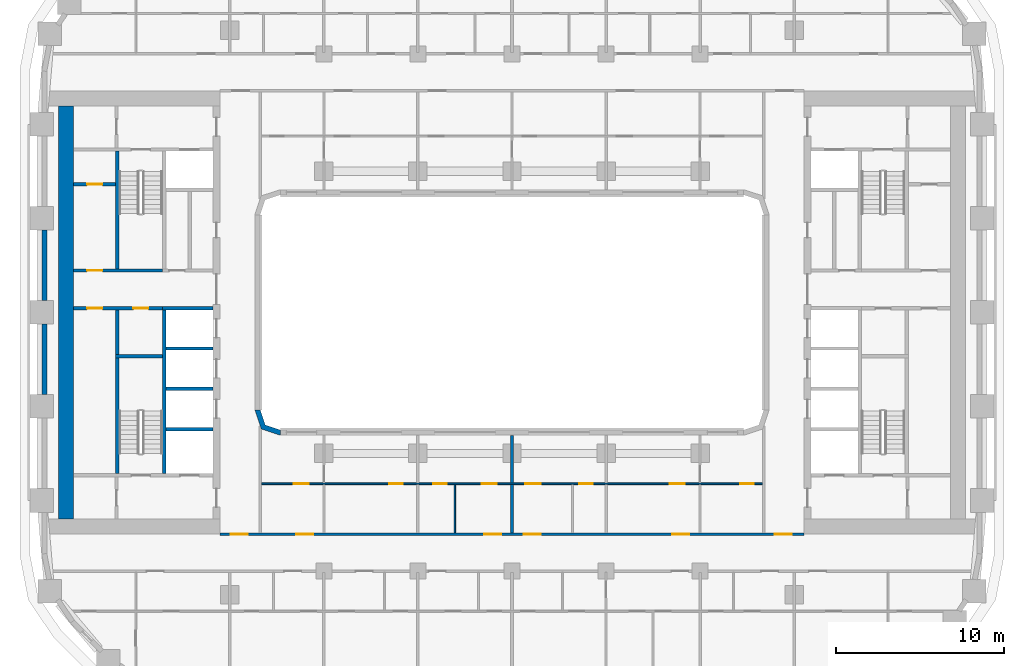
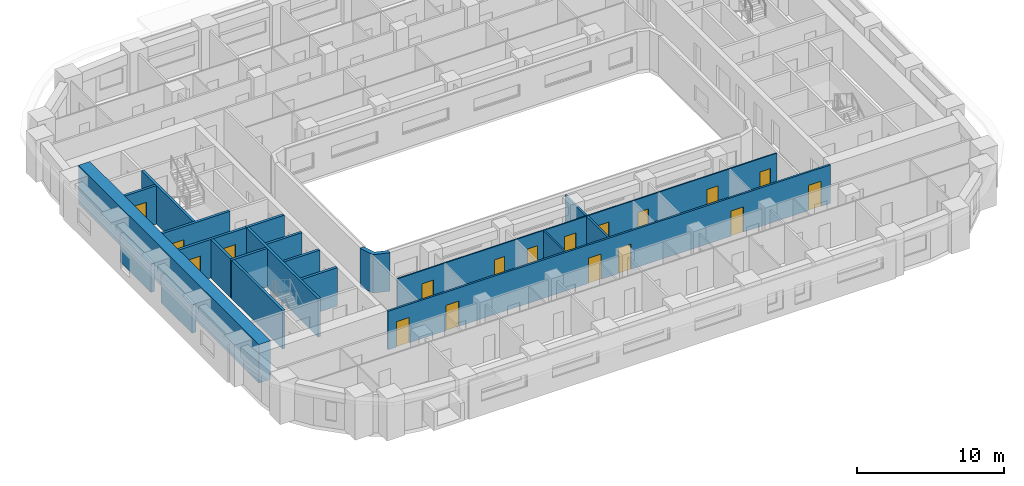
# One storey, part 4 of 22: 21 walls, 18 doors, 18 openings.
"""IFC4 building model written with IfcOpenShell, lengths in metres."""

from ifc_helpers import new_model, si_unit, direction, frame, frame_2d, origin, place, context, subcontext, project, spatial, polyline, rectangle, outline, extrude, material, layer, layer_set, type_object, element, fill, save


model = new_model("IFC4")

# Units and contexts
model_context = context("Model", 3, precision=1e-05, world=origin(), true_north=direction((0.0, 1.0)))
body_context = subcontext(model_context, "Body", "Model", "MODEL_VIEW")
ifc_project = project(units=[si_unit("LENGTHUNIT", "METRE"), si_unit("AREAUNIT", "SQUARE_METRE"), si_unit("VOLUMEUNIT", "CUBIC_METRE"), si_unit("PLANEANGLEUNIT", "RADIAN"), si_unit("MASSUNIT", "GRAM", prefix="KILO")], contexts=[model_context])

# Site, building, storey
site_placement = place(None, origin())
site = spatial("IfcSite", under=ifc_project, at=site_placement, CompositionType="ELEMENT")
building_placement = place(site_placement, origin())
building = spatial("IfcBuilding", under=site, at=building_placement, Name="Kiln Ring Residences", CompositionType="ELEMENT")
storey_placement = place(building_placement, frame((0.0, 0.0, 65.5)))
storey = spatial("IfcBuildingStorey", under=building, at=storey_placement, Name="L16", CompositionType="ELEMENT", Elevation=65.5)

# Wall
ifc_material_1 = material(Name="Gypsum board on steel studs", Category="steel")
ifc_layer_1 = layer(ifc_material_1, 0.199951171875)
ifc_layer_set_1 = layer_set([ifc_layer_1], Name="CORE-PARTITION-200")
wall_type_1 = type_object("IfcWallType", Name="CORE-PARTITION-200", PredefinedType="PARTITIONING", material=ifc_layer_set_1)
wall_1_placement = place(storey_placement, frame((-23.5, -2.5, 0.0), z_axis=(0.0, 0.0, 1.0), x_axis=(0.0, 1.0, 0.0)))
element("IfcWall", 1, at=wall_1_placement, inside=storey, type_object=wall_type_1, Name="Core partition west L16 1", PredefinedType="PARTITIONING", context=body_context, shape_type="SweptSolid", body=[
    extrude(rectangle(XDim=2.64990234375, YDim=0.199951171875, at=frame_2d((1.324951171875, 0.0))), origin(), (0.0, 0.0, 1.0), 3.199951171875),
])

# Wall, openings, doors
wall_2_placement = place(storey_placement, frame((-20.800048828125, 0.25, 0.0), z_axis=(0.0, 0.0, 1.0), x_axis=(-1.0, 0.0, 0.0)))
wall_2 = element("IfcWall", 2, at=wall_2_placement, inside=storey, type_object=wall_type_1, Name="Core partition west L16 2", PredefinedType="PARTITIONING", context=body_context, shape_type="SweptSolid", body=[
    extrude(rectangle(XDim=5.300048828125, YDim=0.199951171875, at=frame_2d((2.64990234375, 0.0))), origin(), (0.0, 0.0, 1.0), 3.199951171875),
])
opening_1_placement = place(wall_2_placement, frame((0.85009765625, 0.0, 0.0)))
opening_1 = element("IfcOpeningElement", 3, at=opening_1_placement, cuts=wall_2, Name="Opening L16-CW15", PredefinedType="OPENING", context=body_context, shape_type="SweptSolid", body=[
    extrude(rectangle(XDim=0.89990234375, YDim=2.10009765625, at=frame_2d((0.449951171875, 1.050048828125))), frame((0.0, 0.10986328125, 0.0), z_axis=(0.0, -1.0, 0.0), x_axis=(1.0, 0.0, 0.0)), (0.0, 0.0, 1.0), 0.219970703125),
])
opening_2_placement = place(wall_2_placement, frame((3.60009765625, 0.0, 0.0)))
opening_2 = element("IfcOpeningElement", 4, at=opening_2_placement, cuts=wall_2, Name="Opening L16-CW16", PredefinedType="OPENING", context=body_context, shape_type="SweptSolid", body=[
    extrude(rectangle(XDim=0.89990234375, YDim=2.10009765625, at=frame_2d((0.449951171875, 1.050048828125))), frame((0.0, 0.10986328125, 0.0), z_axis=(0.0, -1.0, 0.0), x_axis=(1.0, 0.0, 0.0)), (0.0, 0.0, 1.0), 0.219970703125),
])
ifc_material_2 = material(Name="Steel door leaf", Category="steel")
door_type_1 = type_object("IfcDoorType", Name="CORE-DOOR-ROOM", OperationType="SINGLE_SWING_LEFT", PredefinedType="DOOR", material=ifc_material_2)
door_1_placement = place(opening_1_placement, origin())
door_1 = element("IfcDoor", 5, at=door_1_placement, inside=storey, type_object=door_type_1, Name="Refuse and recycling room L16-CW15", OperationType="SINGLE_SWING_LEFT", OverallHeight=2.10009765625, OverallWidth=0.89990234375, PredefinedType="DOOR", context=body_context, shape_type="SweptSolid", body=[
    extrude(rectangle(XDim=0.89990234375, YDim=2.10009765625, at=frame_2d((0.449951171875, 1.050048828125))), frame((0.0, 0.02490234375, 0.0), z_axis=(0.0, -1.0, 0.0), x_axis=(1.0, 0.0, 0.0)), (0.0, 0.0, 1.0), 0.050048828125),
])
fill(opening_1, door_1)
door_2_placement = place(opening_2_placement, origin())
door_2 = element("IfcDoor", 6, at=door_2_placement, inside=storey, type_object=door_type_1, Name="Water tank room L16-CW16", OperationType="SINGLE_SWING_RIGHT", OverallHeight=2.10009765625, OverallWidth=0.89990234375, PredefinedType="DOOR", context=body_context, shape_type="SweptSolid", body=[
    extrude(rectangle(XDim=0.89990234375, YDim=2.10009765625, at=frame_2d((0.449951171875, 1.050048828125))), frame((0.0, 0.02490234375, 0.0), z_axis=(0.0, -1.0, 0.0), x_axis=(1.0, 0.0, 0.0)), (0.0, 0.0, 1.0), 0.050048828125),
])
fill(opening_2, door_2)

# Wall, opening, door
wall_3_placement = place(storey_placement, frame((-23.60009765625, 7.639892578125, 0.0), z_axis=(0.0, 0.0, 1.0), x_axis=(-1.0, 0.0, 0.0)))
wall_3 = element("IfcWall", 7, at=wall_3_placement, inside=storey, type_object=wall_type_1, Name="Core partition west L16 6", PredefinedType="PARTITIONING", context=body_context, shape_type="SweptSolid", body=[
    extrude(rectangle(XDim=2.5, YDim=0.199951171875, at=frame_2d((1.25, 0.0))), origin(), (0.0, 0.0, 1.0), 3.199951171875),
])
opening_3_placement = place(wall_3_placement, frame((0.800048828125, 0.0, 0.0)))
opening_3 = element("IfcOpeningElement", 8, at=opening_3_placement, cuts=wall_3, Name="Opening L16-CW17", PredefinedType="OPENING", context=body_context, shape_type="SweptSolid", body=[
    extrude(rectangle(XDim=0.89990234375, YDim=2.10009765625, at=frame_2d((0.449951171875, 1.050048828125))), frame((0.0, 0.10986328125, 0.0), z_axis=(0.0, -1.0, 0.0), x_axis=(1.0, 0.0, 0.0)), (0.0, 0.0, 1.0), 0.219970703125),
])
door_3_placement = place(opening_3_placement, origin())
door_3 = element("IfcDoor", 9, at=door_3_placement, inside=storey, type_object=door_type_1, Name="UPS room L16-CW17", OperationType="SINGLE_SWING_RIGHT", OverallHeight=2.10009765625, OverallWidth=0.89990234375, PredefinedType="DOOR", context=body_context, shape_type="SweptSolid", body=[
    extrude(rectangle(XDim=0.89990234375, YDim=2.10009765625, at=frame_2d((0.449951171875, 1.050048828125))), frame((0.0, 0.02490234375, 0.0), z_axis=(0.0, -1.0, 0.0), x_axis=(1.0, 0.0, 0.0)), (0.0, 0.0, 1.0), 0.050048828125),
])
fill(opening_3, door_3)

# Walls
ifc_material_3 = material(Name="Gypsum shaft wall system")
ifc_layer_2 = layer(ifc_material_3, 0.199951171875)
ifc_layer_set_2 = layer_set([ifc_layer_2], Name="CORE-SHAFT-WALL-200")
wall_type_2 = type_object("IfcWallType", Name="CORE-SHAFT-WALL-200", PredefinedType="PARTITIONING", material=ifc_layer_set_2)
for number, where, z_axis, x_axis, name in (
    (10, (-17.800048828125, -6.949951171875, 0.0), (0.0, 0.0, 1.0), (-1.0, 0.0, 0.0), "Core partition west L16 7"),
    (11, (-17.800048828125, -4.550048828125, 0.0), (0.0, 0.0, 1.0), (-1.0, 0.0, 0.0), "Core partition west L16 8"),
    (12, (-17.800048828125, -2.14990234375, 0.0), (0.0, 0.0, 1.0), (-1.0, 0.0, 0.0), "Core partition west L16 9"),
):
    element("IfcWall", number, at=place(storey_placement, frame(where, z_axis=z_axis, x_axis=x_axis)), inside=storey, type_object=wall_type_2, Name=name, PredefinedType="PARTITIONING", context=body_context, shape_type="SweptSolid", body=[
        extrude(rectangle(XDim=2.800048828125, YDim=0.199951171875, at=frame_2d((1.39990234375, 0.0))), origin(), (0.0, 0.0, 1.0), 3.199951171875),
    ])
wall_4_placement = place(storey_placement, frame((-17.800048828125, 0.25, 0.0), z_axis=(0.0, 0.0, 1.0), x_axis=(-1.0, 0.0, 0.0)))
element("IfcWall", 13, at=wall_4_placement, inside=storey, type_object=wall_type_2, Name="Core partition west L16 10", PredefinedType="PARTITIONING", context=body_context, shape_type="SweptSolid", body=[
    extrude(rectangle(XDim=3.0, YDim=0.199951171875, at=frame_2d((1.5, 0.0))), origin(), (0.0, 0.0, 1.0), 3.199951171875),
])
ifc_material_4 = material(Name="Concrete C40/50", Category="concrete")
ifc_layer_3 = layer(ifc_material_4, 0.199951171875)
ifc_layer_set_3 = layer_set([ifc_layer_3], Name="CORE-WALL-RC200")
wall_type_3 = type_object("IfcWallType", Name="CORE-WALL-RC200", PredefinedType="SHEAR", material=ifc_layer_set_3)
wall_5_placement = place(storey_placement, frame((-20.699951171875, -9.60009765625, 0.0), z_axis=(0.0, 0.0, 1.0), x_axis=(0.0, 1.0, 0.0)))
element("IfcWall", 14, at=wall_5_placement, inside=storey, type_object=wall_type_3, Name="Core wall west L16 2", PredefinedType="SHEAR", context=body_context, shape_type="SweptSolid", body=[
    extrude(rectangle(XDim=9.75, YDim=0.199951171875, at=frame_2d((4.875, 0.0))), origin(), (0.0, 0.0, 1.0), 3.199951171875),
])

# Wall, opening, door
wall_6_placement = place(storey_placement, frame((-20.800048828125, 2.5, 0.0), z_axis=(0.0, 0.0, 1.0), x_axis=(-1.0, 0.0, 0.0)))
wall_6 = element("IfcWall", 15, at=wall_6_placement, inside=storey, type_object=wall_type_3, Name="Core wall west L16 3", PredefinedType="SHEAR", context=body_context, shape_type="SweptSolid", body=[
    extrude(rectangle(XDim=5.300048828125, YDim=0.199951171875, at=frame_2d((2.64990234375, 0.0))), origin(), (0.0, 0.0, 1.0), 3.199951171875),
])
opening_4_placement = place(wall_6_placement, frame((3.60009765625, 0.0, 0.0)))
opening_4 = element("IfcOpeningElement", 16, at=opening_4_placement, cuts=wall_6, Name="Opening L16-CW18", PredefinedType="OPENING", context=body_context, shape_type="SweptSolid", body=[
    extrude(rectangle(XDim=0.89990234375, YDim=2.10009765625, at=frame_2d((0.449951171875, 1.050048828125))), frame((0.0, 0.10986328125, 0.0), z_axis=(0.0, -1.0, 0.0), x_axis=(1.0, 0.0, 0.0)), (0.0, 0.0, 1.0), 0.219970703125),
])
door_4_placement = place(opening_4_placement, origin())
door_4 = element("IfcDoor", 17, at=door_4_placement, inside=storey, type_object=door_type_1, Name="Electrical plant room L16-CW18", OperationType="SINGLE_SWING_LEFT", OverallHeight=2.10009765625, OverallWidth=0.89990234375, PredefinedType="DOOR", context=body_context, shape_type="SweptSolid", body=[
    extrude(rectangle(XDim=0.89990234375, YDim=2.10009765625, at=frame_2d((0.449951171875, 1.050048828125))), frame((0.0, 0.02490234375, 0.0), z_axis=(0.0, -1.0, 0.0), x_axis=(1.0, 0.0, 0.0)), (0.0, 0.0, 1.0), 0.050048828125),
])
fill(opening_4, door_4)

# Walls
wall_7_placement = place(storey_placement, frame((-23.5, 2.60009765625, 0.0), z_axis=(0.0, 0.0, 1.0), x_axis=(0.0, 1.0, 0.0)))
element("IfcWall", 18, at=wall_7_placement, inside=storey, type_object=wall_type_3, Name="Core wall west L16 10", PredefinedType="SHEAR", context=body_context, shape_type="SweptSolid", body=[
    extrude(rectangle(XDim=7.0, YDim=0.199951171875, at=frame_2d((3.5, 0.0))), origin(), (0.0, 0.0, 1.0), 3.199951171875),
])
wall_8_placement = place(storey_placement, frame((-23.5, -9.60009765625, 0.0), z_axis=(0.0, 0.0, 1.0), x_axis=(0.0, 1.0, 0.0)))
element("IfcWall", 19, at=wall_8_placement, inside=storey, type_object=wall_type_3, Name="Core wall west L16 11", PredefinedType="SHEAR", context=body_context, shape_type="SweptSolid", body=[
    extrude(rectangle(XDim=6.900146484375, YDim=0.199951171875, at=frame_2d((3.4501953125, 0.0))), origin(), (0.0, 0.0, 1.0), 3.199951171875),
])
wall_9_placement = place(storey_placement, frame((-20.800048828125, -2.60009765625, 0.0), z_axis=(0.0, 0.0, 1.0), x_axis=(-1.0, 0.0, 0.0)))
element("IfcWall", 20, at=wall_9_placement, inside=storey, type_object=wall_type_3, Name="Core wall west L16 12", PredefinedType="SHEAR", context=body_context, shape_type="SweptSolid", body=[
    extrude(rectangle(XDim=2.800048828125, YDim=0.199951171875, at=frame_2d((1.39990234375, 0.0))), origin(), (0.0, 0.0, 1.0), 3.199951171875),
])
ifc_material_5 = material(Name="Concrete C60/75", Category="concrete")
ifc_layer_4 = layer(ifc_material_5, 0.89990234375)
ifc_layer_set_4 = layer_set([ifc_layer_4], Name="CORE-WALL-RC900")
wall_type_4 = type_object("IfcWallType", Name="CORE-WALL-RC900", PredefinedType="SHEAR", material=ifc_layer_set_4)
wall_10_placement = place(storey_placement, frame((-26.550048828125, -12.300048828125, 0.0), z_axis=(0.0, 0.0, 1.0), x_axis=(0.0, 1.0, 0.0)))
element("IfcWall", 21, at=wall_10_placement, inside=storey, type_object=wall_type_4, Name="Core wall west L16 7", PredefinedType="SHEAR", context=body_context, shape_type="SweptSolid", body=[
    extrude(rectangle(XDim=24.60009765625, YDim=0.89990234375, at=frame_2d((12.300048828125, 0.0))), origin(), (0.0, 0.0, 1.0), 3.199951171875),
])
ifc_material_6 = material(Name="Brick masonry, dark clay brick", Category="masonry")
ifc_layer_5 = layer(ifc_material_6, 0.300048828125)
ifc_layer_set_5 = layer_set([ifc_layer_5], Name="EW-300 BRICK WALL")
wall_type_5 = type_object("IfcWallType", Name="EW-300 BRICK WALL", PredefinedType="SOLIDWALL", material=ifc_layer_set_5)
for number, where, z_axis, x_axis, name in (
    (22, (-27.85009765625, 4.89990234375, 0.0), (0.0, 0.0, 1.0), (0.0, -1.0, 0.0), "Facade wall L16 43"),
    (23, (-27.85009765625, -0.699951171875, 0.0), (0.0, 0.0, 1.0), (0.0, -1.0, 0.0), "Facade wall L16 44"),
):
    element("IfcWall", number, at=place(storey_placement, frame(where, z_axis=z_axis, x_axis=x_axis)), inside=storey, type_object=wall_type_5, Name=name, PredefinedType="SOLIDWALL", context=body_context, shape_type="SweptSolid", body=[
        extrude(rectangle(XDim=4.199951171875, YDim=0.300048828125, at=frame_2d((2.10009765625, 0.0))), origin(), (0.0, 0.0, 1.0), 2.35009765625),
    ])
wall_11_placement = place(storey_placement, origin())
element("IfcWall", 24, at=wall_11_placement, inside=storey, type_object=wall_type_5, Name="Corner wall L16 4", PredefinedType="SOLIDWALL", context=body_context, shape_type="SweptSolid", body=[
    extrude(outline(polyline([(-14.937255859375, -6.937255859375), (-13.8486328125, -7.300048828125), (-13.800048828125, -7.300048828125), (-13.800048828125, -7.0), (-14.699951171875, -6.699951171875), (-15.0, -5.800048828125), (-15.300048828125, -5.800048828125), (-15.300048828125, -5.8486328125), (-14.937255859375, -6.937255859375)])), origin(), (0.0, 0.0, 1.0), 3.199951171875),
])

# Wall, openings, doors
ifc_material_7 = material(Name="Gypsum board on steel studs", Category="steel")
ifc_layer_6 = layer(ifc_material_7, 0.10009765625)
ifc_layer_set_6 = layer_set([ifc_layer_6], Name="PARTITION-100")
wall_type_6 = type_object("IfcWallType", Name="PARTITION-100", PredefinedType="PARTITIONING", material=ifc_layer_set_6)
wall_12_placement = place(storey_placement, frame((-14.925048828125, -10.199951171875, 0.0), z_axis=(0.0, 0.0, 1.0), x_axis=(1.0, 0.0, 0.0)))
wall_12 = element("IfcWall", 25, at=wall_12_placement, inside=storey, type_object=wall_type_6, Name="Partition 003", PredefinedType="PARTITIONING", context=body_context, shape_type="SweptSolid", body=[
    extrude(rectangle(XDim=29.85009765625, YDim=0.10009765625, at=frame_2d((14.925048828125, 0.0))), origin(), (0.0, 0.0, 1.0), 3.199951171875),
])
opening_5_placement = place(wall_12_placement, frame((7.625, 0.0, 0.0)))
opening_5 = element("IfcOpeningElement", 26, at=opening_5_placement, cuts=wall_12, Name="Opening L16-D044", PredefinedType="OPENING", context=body_context, shape_type="SweptSolid", body=[
    extrude(rectangle(XDim=0.800048828125, YDim=2.10009765625, at=frame_2d((0.39990234375, 1.050048828125))), frame((0.0, 0.06005859375, 0.0), z_axis=(0.0, -1.0, 0.0), x_axis=(1.0, 0.0, 0.0)), (0.0, 0.0, 1.0), 0.1201171875),
])
opening_6_placement = place(wall_12_placement, frame((1.925048828125, 0.0, 0.0)))
opening_6 = element("IfcOpeningElement", 27, at=opening_6_placement, cuts=wall_12, Name="Opening L16-D045", PredefinedType="OPENING", context=body_context, shape_type="SweptSolid", body=[
    extrude(rectangle(XDim=0.89990234375, YDim=2.10009765625, at=frame_2d((0.449951171875, 1.050048828125))), frame((0.0, 0.06005859375, 0.0), z_axis=(0.0, -1.0, 0.0), x_axis=(1.0, 0.0, 0.0)), (0.0, 0.0, 1.0), 0.1201171875),
])
opening_7_placement = place(wall_12_placement, frame((10.22509765625, 0.0, 0.0)))
opening_7 = element("IfcOpeningElement", 28, at=opening_7_placement, cuts=wall_12, Name="Opening L16-D048", PredefinedType="OPENING", context=body_context, shape_type="SweptSolid", body=[
    extrude(rectangle(XDim=0.800048828125, YDim=2.10009765625, at=frame_2d((0.39990234375, 1.050048828125))), frame((0.0, 0.06005859375, 0.0), z_axis=(0.0, -1.0, 0.0), x_axis=(1.0, 0.0, 0.0)), (0.0, 0.0, 1.0), 0.1201171875),
])
opening_8_placement = place(wall_12_placement, frame((13.125, 0.0, 0.0)))
opening_8 = element("IfcOpeningElement", 29, at=opening_8_placement, cuts=wall_12, Name="Opening L16-D049", PredefinedType="OPENING", context=body_context, shape_type="SweptSolid", body=[
    extrude(rectangle(XDim=0.89990234375, YDim=2.10009765625, at=frame_2d((0.449951171875, 1.050048828125))), frame((0.0, 0.06005859375, 0.0), z_axis=(0.0, -1.0, 0.0), x_axis=(1.0, 0.0, 0.0)), (0.0, 0.0, 1.0), 0.1201171875),
])
opening_9_placement = place(wall_12_placement, frame((18.925048828125, 0.0, 0.0)))
opening_9 = element("IfcOpeningElement", 30, at=opening_9_placement, cuts=wall_12, Name="Opening L16-D051", PredefinedType="OPENING", context=body_context, shape_type="SweptSolid", body=[
    extrude(rectangle(XDim=0.800048828125, YDim=2.10009765625, at=frame_2d((0.39990234375, 1.050048828125))), frame((0.0, 0.06005859375, 0.0), z_axis=(0.0, -1.0, 0.0), x_axis=(1.0, 0.0, 0.0)), (0.0, 0.0, 1.0), 0.1201171875),
])
opening_10_placement = place(wall_12_placement, frame((15.72509765625, 0.0, 0.0)))
opening_10 = element("IfcOpeningElement", 31, at=opening_10_placement, cuts=wall_12, Name="Opening L16-D052", PredefinedType="OPENING", context=body_context, shape_type="SweptSolid", body=[
    extrude(rectangle(XDim=0.89990234375, YDim=2.10009765625, at=frame_2d((0.449951171875, 1.050048828125))), frame((0.0, 0.06005859375, 0.0), z_axis=(0.0, -1.0, 0.0), x_axis=(1.0, 0.0, 0.0)), (0.0, 0.0, 1.0), 0.1201171875),
])
opening_11_placement = place(wall_12_placement, frame((28.52490234375, 0.0, 0.0)))
opening_11 = element("IfcOpeningElement", 32, at=opening_11_placement, cuts=wall_12, Name="Opening L16-D054", PredefinedType="OPENING", context=body_context, shape_type="SweptSolid", body=[
    extrude(rectangle(XDim=0.800048828125, YDim=2.10009765625, at=frame_2d((0.39990234375, 1.050048828125))), frame((0.0, 0.06005859375, 0.0), z_axis=(0.0, -1.0, 0.0), x_axis=(1.0, 0.0, 0.0)), (0.0, 0.0, 1.0), 0.1201171875),
])
opening_12_placement = place(wall_12_placement, frame((24.324951171875, 0.0, 0.0)))
opening_12 = element("IfcOpeningElement", 33, at=opening_12_placement, cuts=wall_12, Name="Opening L16-D055", PredefinedType="OPENING", context=body_context, shape_type="SweptSolid", body=[
    extrude(rectangle(XDim=0.89990234375, YDim=2.10009765625, at=frame_2d((0.449951171875, 1.050048828125))), frame((0.0, 0.06005859375, 0.0), z_axis=(0.0, -1.0, 0.0), x_axis=(1.0, 0.0, 0.0)), (0.0, 0.0, 1.0), 0.1201171875),
])
ifc_material_8 = material(Name="Timber door leaf", Category="wood")
door_type_2 = type_object("IfcDoorType", Name="FLAT-DOOR-800-PL", OperationType="SINGLE_SWING_LEFT", PredefinedType="DOOR", material=ifc_material_8)
door_5_placement = place(opening_5_placement, origin())
door_5 = element("IfcDoor", 34, at=door_5_placement, inside=storey, type_object=door_type_2, Name="Door L16-D044", OperationType="SINGLE_SWING_RIGHT", OverallHeight=2.10009765625, OverallWidth=0.800048828125, PredefinedType="DOOR", context=body_context, shape_type="SweptSolid", body=[
    extrude(rectangle(XDim=0.800048828125, YDim=2.10009765625, at=frame_2d((0.39990234375, 1.050048828125))), frame((0.0, 0.02490234375, 0.0), z_axis=(0.0, -1.0, 0.0), x_axis=(1.0, 0.0, 0.0)), (0.0, 0.0, 1.0), 0.050048828125),
])
fill(opening_5, door_5)
door_6_placement = place(opening_7_placement, origin())
door_6 = element("IfcDoor", 35, at=door_6_placement, inside=storey, type_object=door_type_2, Name="Door L16-D048", OperationType="SINGLE_SWING_RIGHT", OverallHeight=2.10009765625, OverallWidth=0.800048828125, PredefinedType="DOOR", context=body_context, shape_type="SweptSolid", body=[
    extrude(rectangle(XDim=0.800048828125, YDim=2.10009765625, at=frame_2d((0.39990234375, 1.050048828125))), frame((0.0, 0.02490234375, 0.0), z_axis=(0.0, -1.0, 0.0), x_axis=(1.0, 0.0, 0.0)), (0.0, 0.0, 1.0), 0.050048828125),
])
fill(opening_7, door_6)
door_7_placement = place(opening_9_placement, origin())
door_7 = element("IfcDoor", 36, at=door_7_placement, inside=storey, type_object=door_type_2, Name="Door L16-D051", OperationType="SINGLE_SWING_LEFT", OverallHeight=2.10009765625, OverallWidth=0.800048828125, PredefinedType="DOOR", context=body_context, shape_type="SweptSolid", body=[
    extrude(rectangle(XDim=0.800048828125, YDim=2.10009765625, at=frame_2d((0.39990234375, 1.050048828125))), frame((0.0, 0.02490234375, 0.0), z_axis=(0.0, -1.0, 0.0), x_axis=(1.0, 0.0, 0.0)), (0.0, 0.0, 1.0), 0.050048828125),
])
fill(opening_9, door_7)
door_8_placement = place(opening_11_placement, origin())
door_8 = element("IfcDoor", 37, at=door_8_placement, inside=storey, type_object=door_type_2, Name="Door L16-D054", OperationType="SINGLE_SWING_RIGHT", OverallHeight=2.10009765625, OverallWidth=0.800048828125, PredefinedType="DOOR", context=body_context, shape_type="SweptSolid", body=[
    extrude(rectangle(XDim=0.800048828125, YDim=2.10009765625, at=frame_2d((0.39990234375, 1.050048828125))), frame((0.0, 0.02490234375, 0.0), z_axis=(0.0, -1.0, 0.0), x_axis=(1.0, 0.0, 0.0)), (0.0, 0.0, 1.0), 0.050048828125),
])
fill(opening_11, door_8)
ifc_material_9 = material(Name="Timber door leaf", Category="wood")
door_type_3 = type_object("IfcDoorType", Name="FLAT-DOOR-900-PL", OperationType="SINGLE_SWING_LEFT", PredefinedType="DOOR", material=ifc_material_9)
door_9_placement = place(opening_6_placement, origin())
door_9 = element("IfcDoor", 38, at=door_9_placement, inside=storey, type_object=door_type_3, Name="Door L16-D045", OperationType="SINGLE_SWING_LEFT", OverallHeight=2.10009765625, OverallWidth=0.89990234375, PredefinedType="DOOR", context=body_context, shape_type="SweptSolid", body=[
    extrude(rectangle(XDim=0.89990234375, YDim=2.10009765625, at=frame_2d((0.449951171875, 1.050048828125))), frame((0.0, 0.02490234375, 0.0), z_axis=(0.0, -1.0, 0.0), x_axis=(1.0, 0.0, 0.0)), (0.0, 0.0, 1.0), 0.050048828125),
])
fill(opening_6, door_9)
door_10_placement = place(opening_8_placement, origin())
door_10 = element("IfcDoor", 39, at=door_10_placement, inside=storey, type_object=door_type_3, Name="Door L16-D049", OperationType="SINGLE_SWING_LEFT", OverallHeight=2.10009765625, OverallWidth=0.89990234375, PredefinedType="DOOR", context=body_context, shape_type="SweptSolid", body=[
    extrude(rectangle(XDim=0.89990234375, YDim=2.10009765625, at=frame_2d((0.449951171875, 1.050048828125))), frame((0.0, 0.02490234375, 0.0), z_axis=(0.0, -1.0, 0.0), x_axis=(1.0, 0.0, 0.0)), (0.0, 0.0, 1.0), 0.050048828125),
])
fill(opening_8, door_10)
door_11_placement = place(opening_10_placement, origin())
door_11 = element("IfcDoor", 40, at=door_11_placement, inside=storey, type_object=door_type_3, Name="Door L16-D052", OperationType="SINGLE_SWING_RIGHT", OverallHeight=2.10009765625, OverallWidth=0.89990234375, PredefinedType="DOOR", context=body_context, shape_type="SweptSolid", body=[
    extrude(rectangle(XDim=0.89990234375, YDim=2.10009765625, at=frame_2d((0.449951171875, 1.050048828125))), frame((0.0, 0.02490234375, 0.0), z_axis=(0.0, -1.0, 0.0), x_axis=(1.0, 0.0, 0.0)), (0.0, 0.0, 1.0), 0.050048828125),
])
fill(opening_10, door_11)
door_12_placement = place(opening_12_placement, origin())
door_12 = element("IfcDoor", 41, at=door_12_placement, inside=storey, type_object=door_type_3, Name="Door L16-D055", OperationType="SINGLE_SWING_LEFT", OverallHeight=2.10009765625, OverallWidth=0.89990234375, PredefinedType="DOOR", context=body_context, shape_type="SweptSolid", body=[
    extrude(rectangle(XDim=0.89990234375, YDim=2.10009765625, at=frame_2d((0.449951171875, 1.050048828125))), frame((0.0, 0.02490234375, 0.0), z_axis=(0.0, -1.0, 0.0), x_axis=(1.0, 0.0, 0.0)), (0.0, 0.0, 1.0), 0.050048828125),
])
fill(opening_12, door_12)

# Wall
wall_13_placement = place(storey_placement, frame((-3.39990234375, -13.125, 0.0), z_axis=(0.0, 0.0, 1.0), x_axis=(0.0, 1.0, 0.0)))
element("IfcWall", 42, at=wall_13_placement, inside=storey, type_object=wall_type_6, Name="Partition 038", PredefinedType="PARTITIONING", context=body_context, shape_type="SweptSolid", body=[
    extrude(rectangle(XDim=2.875, YDim=0.10009765625, at=frame_2d((1.4375, 0.0))), origin(), (0.0, 0.0, 1.0), 3.199951171875),
])

# Wall, openings, doors
ifc_material_10 = material(Name="Brick masonry partition", Category="masonry")
ifc_layer_7 = layer(ifc_material_10, 0.14990234375)
ifc_layer_set_7 = layer_set([ifc_layer_7], Name="PARTITION-150-ei60")
wall_type_7 = type_object("IfcWallType", Name="PARTITION-150-ei60", PredefinedType="PARTITIONING", material=ifc_layer_set_7)
wall_14_placement = place(storey_placement, frame((-17.39990234375, -13.199951171875, 0.0), z_axis=(0.0, 0.0, 1.0), x_axis=(1.0, 0.0, 0.0)))
wall_14 = element("IfcWall", 43, at=wall_14_placement, inside=storey, type_object=wall_type_7, Name="Partition 002", PredefinedType="PARTITIONING", context=body_context, shape_type="SweptSolid", body=[
    extrude(rectangle(XDim=34.7998046875, YDim=0.14990234375, at=frame_2d((17.39990234375, 0.0))), origin(), (0.0, 0.0, 1.0), 3.199951171875),
])
opening_13_placement = place(wall_14_placement, frame((0.64990234375, 0.0, 0.0)))
opening_13 = element("IfcOpeningElement", 44, at=opening_13_placement, cuts=wall_14, Name="Opening L16-D003", PredefinedType="OPENING", context=body_context, shape_type="SweptSolid", body=[
    extrude(rectangle(XDim=1.0, YDim=2.10009765625, at=frame_2d((0.5, 1.050048828125))), frame((0.0, 0.0849609375, 0.0), z_axis=(0.0, -1.0, 0.0), x_axis=(1.0, 0.0, 0.0)), (0.0, 0.0, 1.0), 0.169921875),
])
opening_14_placement = place(wall_14_placement, frame((33.050048828125, 0.0, 0.0)))
opening_14 = element("IfcOpeningElement", 45, at=opening_14_placement, cuts=wall_14, Name="Opening L16-D004", PredefinedType="OPENING", context=body_context, shape_type="SweptSolid", body=[
    extrude(rectangle(XDim=1.0, YDim=2.10009765625, at=frame_2d((0.5, 1.050048828125))), frame((0.0, 0.0849609375, 0.0), z_axis=(0.0, -1.0, 0.0), x_axis=(1.0, 0.0, 0.0)), (0.0, 0.0, 1.0), 0.169921875),
])
opening_15_placement = place(wall_14_placement, frame((4.550048828125, 0.0, 0.0)))
opening_15 = element("IfcOpeningElement", 46, at=opening_15_placement, cuts=wall_14, Name="Opening L16-D043", PredefinedType="OPENING", context=body_context, shape_type="SweptSolid", body=[
    extrude(rectangle(XDim=1.0, YDim=2.10009765625, at=frame_2d((0.5, 1.050048828125))), frame((0.0, 0.0849609375, 0.0), z_axis=(0.0, -1.0, 0.0), x_axis=(1.0, 0.0, 0.0)), (0.0, 0.0, 1.0), 0.169921875),
])
opening_16_placement = place(wall_14_placement, frame((15.75, 0.0, 0.0)))
opening_16 = element("IfcOpeningElement", 47, at=opening_16_placement, cuts=wall_14, Name="Opening L16-D047", PredefinedType="OPENING", context=body_context, shape_type="SweptSolid", body=[
    extrude(rectangle(XDim=1.0, YDim=2.10009765625, at=frame_2d((0.5, 1.050048828125))), frame((0.0, 0.0849609375, 0.0), z_axis=(0.0, -1.0, 0.0), x_axis=(1.0, 0.0, 0.0)), (0.0, 0.0, 1.0), 0.169921875),
])
opening_17_placement = place(wall_14_placement, frame((18.10009765625, 0.0, 0.0)))
opening_17 = element("IfcOpeningElement", 48, at=opening_17_placement, cuts=wall_14, Name="Opening L16-D050", PredefinedType="OPENING", context=body_context, shape_type="SweptSolid", body=[
    extrude(rectangle(XDim=1.0, YDim=2.10009765625, at=frame_2d((0.5, 1.050048828125))), frame((0.0, 0.0849609375, 0.0), z_axis=(0.0, -1.0, 0.0), x_axis=(1.0, 0.0, 0.0)), (0.0, 0.0, 1.0), 0.169921875),
])
opening_18_placement = place(wall_14_placement, frame((26.949951171875, 0.0, 0.0)))
opening_18 = element("IfcOpeningElement", 49, at=opening_18_placement, cuts=wall_14, Name="Opening L16-D053", PredefinedType="OPENING", context=body_context, shape_type="SweptSolid", body=[
    extrude(rectangle(XDim=1.0, YDim=2.10009765625, at=frame_2d((0.5, 1.050048828125))), frame((0.0, 0.0849609375, 0.0), z_axis=(0.0, -1.0, 0.0), x_axis=(1.0, 0.0, 0.0)), (0.0, 0.0, 1.0), 0.169921875),
])
ifc_material_11 = material(Name="Steel faced fire door leaf", Category="steel")
door_type_4 = type_object("IfcDoorType", Name="FLAT-DOOR-1000-FR", OperationType="SINGLE_SWING_LEFT", PredefinedType="DOOR", material=ifc_material_11)
door_13_placement = place(opening_13_placement, origin())
door_13 = element("IfcDoor", 50, at=door_13_placement, inside=storey, type_object=door_type_4, Name="Door L16-D003", OperationType="SINGLE_SWING_RIGHT", OverallHeight=2.10009765625, OverallWidth=1.0, PredefinedType="DOOR", context=body_context, shape_type="SweptSolid", body=[
    extrude(rectangle(XDim=1.0, YDim=2.10009765625, at=frame_2d((0.5, 1.050048828125))), frame((0.0, 0.02490234375, 0.0), z_axis=(0.0, -1.0, 0.0), x_axis=(1.0, 0.0, 0.0)), (0.0, 0.0, 1.0), 0.050048828125),
])
fill(opening_13, door_13)
door_14_placement = place(opening_14_placement, origin())
door_14 = element("IfcDoor", 51, at=door_14_placement, inside=storey, type_object=door_type_4, Name="Door L16-D004", OperationType="SINGLE_SWING_LEFT", OverallHeight=2.10009765625, OverallWidth=1.0, PredefinedType="DOOR", context=body_context, shape_type="SweptSolid", body=[
    extrude(rectangle(XDim=1.0, YDim=2.10009765625, at=frame_2d((0.5, 1.050048828125))), frame((0.0, 0.02490234375, 0.0), z_axis=(0.0, -1.0, 0.0), x_axis=(1.0, 0.0, 0.0)), (0.0, 0.0, 1.0), 0.050048828125),
])
fill(opening_14, door_14)
door_15_placement = place(opening_15_placement, origin())
door_15 = element("IfcDoor", 52, at=door_15_placement, inside=storey, type_object=door_type_4, Name="Door L16-D043", OperationType="SINGLE_SWING_LEFT", OverallHeight=2.10009765625, OverallWidth=1.0, PredefinedType="DOOR", context=body_context, shape_type="SweptSolid", body=[
    extrude(rectangle(XDim=1.0, YDim=2.10009765625, at=frame_2d((0.5, 1.050048828125))), frame((0.0, 0.02490234375, 0.0), z_axis=(0.0, -1.0, 0.0), x_axis=(1.0, 0.0, 0.0)), (0.0, 0.0, 1.0), 0.050048828125),
])
fill(opening_15, door_15)
door_16_placement = place(opening_16_placement, origin())
door_16 = element("IfcDoor", 53, at=door_16_placement, inside=storey, type_object=door_type_4, Name="Door L16-D047", OperationType="SINGLE_SWING_LEFT", OverallHeight=2.10009765625, OverallWidth=1.0, PredefinedType="DOOR", context=body_context, shape_type="SweptSolid", body=[
    extrude(rectangle(XDim=1.0, YDim=2.10009765625, at=frame_2d((0.5, 1.050048828125))), frame((0.0, 0.02490234375, 0.0), z_axis=(0.0, -1.0, 0.0), x_axis=(1.0, 0.0, 0.0)), (0.0, 0.0, 1.0), 0.050048828125),
])
fill(opening_16, door_16)
door_17_placement = place(opening_17_placement, origin())
door_17 = element("IfcDoor", 54, at=door_17_placement, inside=storey, type_object=door_type_4, Name="Door L16-D050", OperationType="SINGLE_SWING_RIGHT", OverallHeight=2.10009765625, OverallWidth=1.0, PredefinedType="DOOR", context=body_context, shape_type="SweptSolid", body=[
    extrude(rectangle(XDim=1.0, YDim=2.10009765625, at=frame_2d((0.5, 1.050048828125))), frame((0.0, 0.02490234375, 0.0), z_axis=(0.0, -1.0, 0.0), x_axis=(1.0, 0.0, 0.0)), (0.0, 0.0, 1.0), 0.050048828125),
])
fill(opening_17, door_17)
door_18_placement = place(opening_18_placement, origin())
door_18 = element("IfcDoor", 55, at=door_18_placement, inside=storey, type_object=door_type_4, Name="Door L16-D053", OperationType="SINGLE_SWING_LEFT", OverallHeight=2.10009765625, OverallWidth=1.0, PredefinedType="DOOR", context=body_context, shape_type="SweptSolid", body=[
    extrude(rectangle(XDim=1.0, YDim=2.10009765625, at=frame_2d((0.5, 1.050048828125))), frame((0.0, 0.02490234375, 0.0), z_axis=(0.0, -1.0, 0.0), x_axis=(1.0, 0.0, 0.0)), (0.0, 0.0, 1.0), 0.050048828125),
])
fill(opening_18, door_18)

# Walls
wall_15_placement = place(storey_placement, frame((0.0, -13.125, 0.0), z_axis=(0.0, 0.0, 1.0), x_axis=(0.0, 1.0, 0.0)))
element("IfcWall", 56, at=wall_15_placement, inside=storey, type_object=wall_type_7, Name="Partition 045", PredefinedType="PARTITIONING", context=body_context, shape_type="SweptSolid", body=[
    extrude(rectangle(XDim=2.875, YDim=0.14990234375, at=frame_2d((1.4375, 0.0))), origin(), (0.0, 0.0, 1.0), 3.199951171875),
])
wall_16_placement = place(storey_placement, frame((0.0, -10.14990234375, 0.0), z_axis=(0.0, 0.0, 1.0), x_axis=(0.0, 1.0, 0.0)))
element("IfcWall", 57, at=wall_16_placement, inside=storey, type_object=wall_type_7, Name="Partition 046", PredefinedType="PARTITIONING", context=body_context, shape_type="SweptSolid", body=[
    extrude(rectangle(XDim=2.829833984375, YDim=0.14990234375, at=frame_2d((1.4150390625, 0.0))), origin(), (0.0, 0.0, 1.0), 3.199951171875),
])

save(model, "model.ifc")
